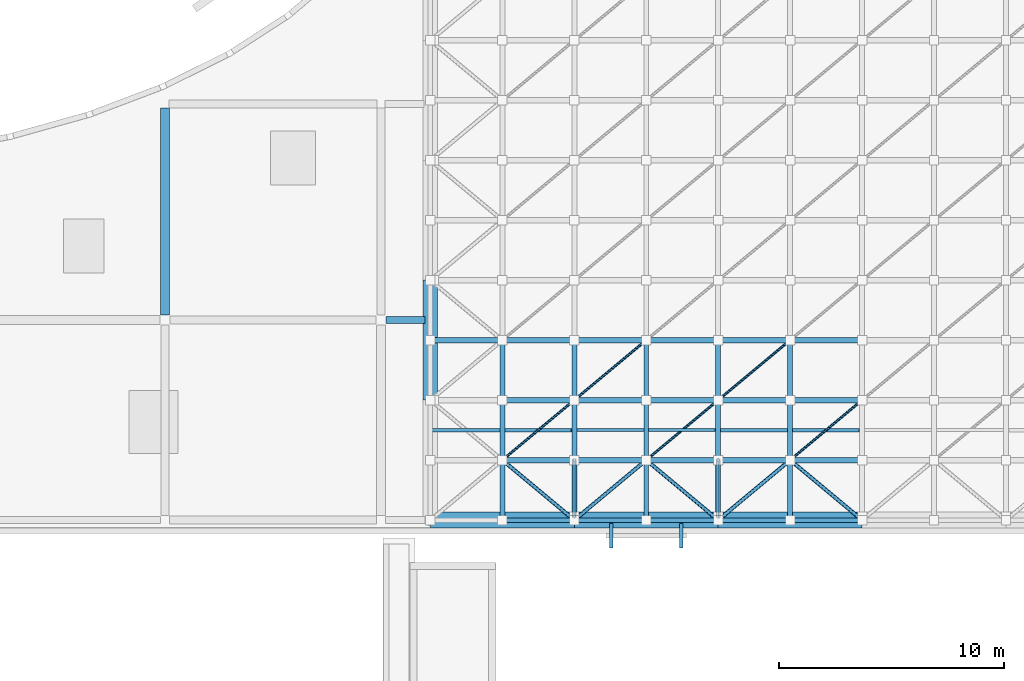
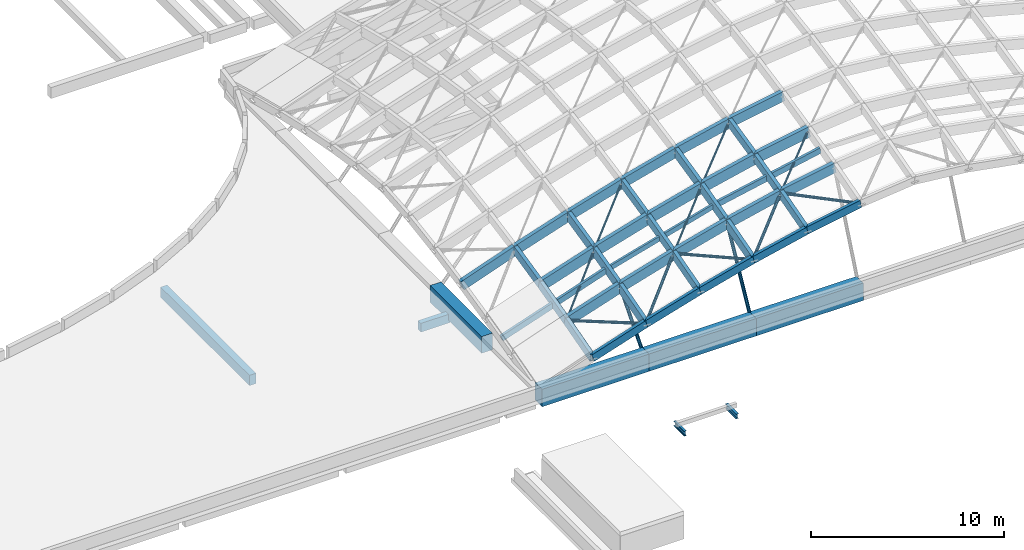
# One storey, part 6 of 40: 51 members, 8 beams.
"""IFC4 building model written with IfcOpenShell, lengths in metres."""

from ifc_helpers import new_model, si_unit, direction, frame, origin, origin_2d, place, context, subcontext, project, spatial, rectangle, hollow_circle, i_section, extrude, material, material_profile, profile_set, type_object, element, save


model = new_model("IFC4")

# Units and contexts
model_context = context("Model", 3, precision=1e-05, world=origin(), true_north=direction((0.0, 1.0)))
body_context = subcontext(model_context, "Body", "Model", "MODEL_VIEW")
ifc_project = project(units=[si_unit("LENGTHUNIT", "METRE"), si_unit("AREAUNIT", "SQUARE_METRE"), si_unit("VOLUMEUNIT", "CUBIC_METRE"), si_unit("PLANEANGLEUNIT", "RADIAN"), si_unit("MASSUNIT", "GRAM", prefix="KILO")], contexts=[model_context])

# Site, building, storey
site_placement = place(None, origin())
site = spatial("IfcSite", under=ifc_project, at=site_placement, CompositionType="ELEMENT")
building_placement = place(site_placement, origin())
building = spatial("IfcBuilding", under=site, at=building_placement, Name="Mzevani Central Library", CompositionType="ELEMENT")
storey_placement = place(building_placement, frame((0.0, 0.0, 26.699951171875)))
storey = spatial("IfcBuildingStorey", under=building, at=storey_placement, Name="RF", CompositionType="ELEMENT", Elevation=26.699951171875)

# Member
ifc_material_1 = material(Name="Glulam GL28h", Category="wood")
ifc_material_profile_1 = material_profile(ifc_material_1, rectangle(XDim=0.139892578125, YDim=0.300048828125, at=origin_2d()), Name="GL28h 140x300")
ifc_profile_set_1 = profile_set([ifc_material_profile_1], Name="Glulam GL28h")
member_type_1 = type_object("IfcMemberType", Name="Acoustic Baffle Batten GL28h 140x300", PredefinedType="PURLIN", material=ifc_profile_set_1)
member_1_placement = place(storey_placement, frame((120.68994140625, 47.10009765625, -9.758544921875), z_axis=(0.962684478894, 0.0, 0.270626299715), x_axis=(0.0, 1.0, 0.0)))
element("IfcMember", 1, at=member_1_placement, inside=storey, type_object=member_type_1, Name="RF Gridshell Edge Baffle Purlin 2", PredefinedType="PURLIN", context=body_context, shape_type="SweptSolid", body=[
    extrude(rectangle(XDim=0.139892578125, YDim=0.300048828125, at=origin_2d()), origin(), (0.0, 0.0, 1.0), 6.461181640625),
])

# Beams
ifc_material_2 = material(Name="Concrete C35/45", Category="concrete")
ifc_material_profile_2 = material_profile(ifc_material_2, rectangle(XDim=0.300048828125, YDim=0.550048828125, at=origin_2d()), Name="RC B300x550")
ifc_profile_set_2 = profile_set([ifc_material_profile_2], Name="Concrete C35/45")
beam_type_1 = type_object("IfcBeamType", Name="Beam RC 300x550", PredefinedType="BEAM", material=ifc_profile_set_2)
beam_1_placement = place(storey_placement, frame((112.22509765625, 52.0, -13.43505859375), z_axis=(1.0, 0.0, 0.0), x_axis=(0.0, 1.0, 0.0)))
element("IfcBeam", 2, at=beam_1_placement, inside=storey, type_object=beam_type_1, Name="RF V1 Girder B-02 (153)", PredefinedType="BEAM", context=body_context, shape_type="SweptSolid", body=[
    extrude(rectangle(XDim=0.300048828125, YDim=0.550048828125, at=origin_2d()), origin(), (0.0, 0.0, 1.0), 1.724853515625),
])
ifc_material_profile_3 = material_profile(ifc_material_2, rectangle(XDim=0.39990234375, YDim=0.64990234375, at=origin_2d()), Name="RC B400x650")
ifc_profile_set_3 = profile_set([ifc_material_profile_3], Name="Concrete C35/45")
beam_type_2 = type_object("IfcBeamType", Name="Beam RC 400x650", PredefinedType="BEAM", material=ifc_profile_set_3)
beam_2_placement = place(storey_placement, frame((102.39990234375, 52.22509765625, -13.48486328125), z_axis=(0.0, 1.0, 0.0), x_axis=(-1.0, 0.0, 0.0)))
element("IfcBeam", 3, at=beam_2_placement, inside=storey, type_object=beam_type_2, Name="RF V1 Frame Beam B-07 (170)", PredefinedType="BEAM", context=body_context, shape_type="SweptSolid", body=[
    extrude(rectangle(XDim=0.39990234375, YDim=0.64990234375, at=origin_2d()), origin(), (0.0, 0.0, 1.0), 9.199951171875),
])

# Members
ifc_material_3 = material(Name="Steel S355J2", Category="steel")
ifc_material_profile_4 = material_profile(ifc_material_3, hollow_circle(Radius=0.096923828125, WallThickness=0.010009765625, at=origin_2d()), Name="CHS 193.7x10.0")
ifc_profile_set_4 = profile_set([ifc_material_profile_4], Name="Steel S355J2")
member_type_2 = type_object("IfcMemberType", Name="Gridshell Corner Raker CHS 193.7", PredefinedType="BRACE", material=ifc_profile_set_4)
member_2_placement = place(storey_placement, frame((120.60009765625, 43.25, -12.949951171875), z_axis=(0.0, 0.657289394551, 0.753638276503), x_axis=(-1.0, 0.0, 0.0)))
element("IfcMember", 4, at=member_2_placement, inside=storey, type_object=member_type_2, Name="RF Gridshell South Springing Raker 1", PredefinedType="BRACE", context=body_context, shape_type="SweptSolid", body=[
    extrude(hollow_circle(Radius=0.096923828125, WallThickness=0.010009765625, at=origin_2d()), origin(), (0.0, 0.0, 1.0), 3.828857421875),
])
member_3_placement = place(storey_placement, frame((127.0, 43.25, -12.949951171875), z_axis=(0.0, 0.473264552531, 0.880920350156), x_axis=(-1.0, 0.0, 0.0)))
element("IfcMember", 5, at=member_3_placement, inside=storey, type_object=member_type_2, Name="RF Gridshell South Springing Raker 2", PredefinedType="BRACE", context=body_context, shape_type="SweptSolid", body=[
    extrude(hollow_circle(Radius=0.096923828125, WallThickness=0.010009765625, at=origin_2d()), origin(), (0.0, 0.0, 1.0), 5.317626953125),
])
ifc_material_profile_5 = material_profile(ifc_material_3, hollow_circle(Radius=0.05712890625, WallThickness=0.00634765625, at=origin_2d()), Name="CHS 114.3x6.3")
ifc_profile_set_5 = profile_set([ifc_material_profile_5], Name="Steel S355J2")
member_type_3 = type_object("IfcMemberType", Name="Gridshell Diagonal Brace CHS 114.3", PredefinedType="BRACE", material=ifc_profile_set_5)
member_4_placement = place(storey_placement, frame((117.39990234375, 45.7666015625, -11.0849609375), z_axis=(0.710113514397, 0.591743203979, 0.381547870148), x_axis=(-0.640172870191, 0.768230887345, 0.0)))
element("IfcMember", 6, at=member_4_placement, inside=storey, type_object=member_type_3, Name="RF Gridshell Steel Diagonal 2.2", PredefinedType="BRACE", context=body_context, shape_type="SweptSolid", body=[
    extrude(hollow_circle(Radius=0.05712890625, WallThickness=0.00634765625, at=origin_2d()), origin(), (0.0, 0.0, 1.0), 4.506591796875),
])
member_5_placement = place(storey_placement, frame((120.60009765625, 48.433349609375, -9.365478515625), z_axis=(0.719601572645, 0.599695428245, 0.350055666986), x_axis=(-0.640201694382, 0.768206867003, 0.0)))
element("IfcMember", 7, at=member_5_placement, inside=storey, type_object=member_type_3, Name="RF Gridshell Steel Diagonal 3.3", PredefinedType="BRACE", context=body_context, shape_type="SweptSolid", body=[
    extrude(hollow_circle(Radius=0.05712890625, WallThickness=0.00634765625, at=origin_2d()), origin(), (0.0, 0.0, 1.0), 4.44677734375),
])
member_6_placement = place(storey_placement, frame((123.800048828125, 45.7666015625, -9.09423828125), z_axis=(0.721237530893, 0.601058789193, 0.344303290669), x_axis=(-0.640201694382, 0.768206867003, 0.0)))
element("IfcMember", 8, at=member_6_placement, inside=storey, type_object=member_type_3, Name="RF Gridshell Steel Diagonal 4.2", PredefinedType="BRACE", context=body_context, shape_type="SweptSolid", body=[
    extrude(hollow_circle(Radius=0.05712890625, WallThickness=0.00634765625, at=origin_2d()), origin(), (0.0, 0.0, 1.0), 4.436767578125),
])
member_7_placement = place(storey_placement, frame((127.0, 48.433349609375, -7.566650390625), z_axis=(0.73155638542, 0.609658228271, 0.30519190627), x_axis=(-0.640201694382, 0.768206867003, 0.0)))
element("IfcMember", 9, at=member_7_placement, inside=storey, type_object=member_type_3, Name="RF Gridshell Steel Diagonal 5.3", PredefinedType="BRACE", context=body_context, shape_type="SweptSolid", body=[
    extrude(hollow_circle(Radius=0.05712890625, WallThickness=0.00634765625, at=origin_2d()), origin(), (0.0, 0.0, 1.0), 4.374267578125),
])
member_8_placement = place(storey_placement, frame((130.199951171875, 45.7666015625, -7.51708984375), z_axis=(0.735482172478, 0.612929867245, 0.288761063521), x_axis=(-0.640201694382, 0.768206867003, 0.0)))
element("IfcMember", 10, at=member_8_placement, inside=storey, type_object=member_type_3, Name="RF Gridshell Steel Diagonal 6.2", PredefinedType="BRACE", context=body_context, shape_type="SweptSolid", body=[
    extrude(hollow_circle(Radius=0.05712890625, WallThickness=0.00634765625, at=origin_2d()), origin(), (0.0, 0.0, 1.0), 4.350830078125),
])
ifc_material_profile_6 = material_profile(ifc_material_1, rectangle(XDim=0.199951171875, YDim=0.47998046875, at=origin_2d()), Name="GL28h 200x480")
ifc_profile_set_6 = profile_set([ifc_material_profile_6], Name="Glulam GL28h")
member_type_4 = type_object("IfcMemberType", Name="Gridshell Edge Rib GL28h 200x480", PredefinedType="RAFTER", material=ifc_profile_set_6)
member_9_placement = place(storey_placement, frame((117.39990234375, 43.10009765625, -11.79833984375), z_axis=(0.950993540483, 0.0, 0.309210746837), x_axis=(0.0, 1.0, 0.0)))
element("IfcMember", 11, at=member_9_placement, inside=storey, type_object=member_type_4, Name="RF Gridshell Glulam Arch Rib X1.2", PredefinedType="RAFTER", context=body_context, shape_type="SweptSolid", body=[
    extrude(rectangle(XDim=0.199951171875, YDim=0.47998046875, at=origin_2d()), origin(), (0.0, 0.0, 1.0), 3.364990234375),
])
member_10_placement = place(storey_placement, frame((120.60009765625, 43.10009765625, -10.7578125), z_axis=(0.958629716231, 0.0, 0.284656050627), x_axis=(0.0, 1.0, 0.0)))
element("IfcMember", 12, at=member_10_placement, inside=storey, type_object=member_type_4, Name="RF Gridshell Glulam Arch Rib X1.3", PredefinedType="RAFTER", context=body_context, shape_type="SweptSolid", body=[
    extrude(rectangle(XDim=0.199951171875, YDim=0.47998046875, at=origin_2d()), origin(), (0.0, 0.0, 1.0), 3.338134765625),
])
member_11_placement = place(storey_placement, frame((123.800048828125, 43.10009765625, -9.8076171875), z_axis=(0.966604816788, 0.0, 0.256271590626), x_axis=(0.0, 1.0, 0.0)))
element("IfcMember", 13, at=member_11_placement, inside=storey, type_object=member_type_4, Name="RF Gridshell Glulam Arch Rib X1.4", PredefinedType="RAFTER", context=body_context, shape_type="SweptSolid", body=[
    extrude(rectangle(XDim=0.199951171875, YDim=0.47998046875, at=origin_2d()), origin(), (0.0, 0.0, 1.0), 3.310546875),
])
member_12_placement = place(storey_placement, frame((127.0, 43.10009765625, -8.959228515625), z_axis=(0.975034107954, 0.0, 0.222055147039), x_axis=(0.0, 1.0, 0.0)))
element("IfcMember", 14, at=member_12_placement, inside=storey, type_object=member_type_4, Name="RF Gridshell Glulam Arch Rib X1.5", PredefinedType="RAFTER", context=body_context, shape_type="SweptSolid", body=[
    extrude(rectangle(XDim=0.199951171875, YDim=0.47998046875, at=origin_2d()), origin(), (0.0, 0.0, 1.0), 3.281982421875),
])
member_13_placement = place(storey_placement, frame((130.199951171875, 43.10009765625, -8.23046875), z_axis=(0.984121212692, 0.0, 0.177497714718), x_axis=(0.0, 1.0, 0.0)))
element("IfcMember", 15, at=member_13_placement, inside=storey, type_object=member_type_4, Name="RF Gridshell Glulam Arch Rib X1.6", PredefinedType="RAFTER", context=body_context, shape_type="SweptSolid", body=[
    extrude(rectangle(XDim=0.199951171875, YDim=0.47998046875, at=origin_2d()), origin(), (0.0, 0.0, 1.0), 3.25146484375),
])
ifc_material_profile_7 = material_profile(ifc_material_1, rectangle(XDim=0.239990234375, YDim=0.6201171875, at=origin_2d()), Name="GL28h 240x620")
ifc_profile_set_7 = profile_set([ifc_material_profile_7], Name="Glulam GL28h")
member_type_5 = type_object("IfcMemberType", Name="Gridshell Primary Rib GL28h 240x620", PredefinedType="RAFTER", material=ifc_profile_set_7)
member_14_placement = place(storey_placement, frame((117.39990234375, 45.7666015625, -11.125), z_axis=(0.950993540483, 0.0, 0.309210746837), x_axis=(0.0, 1.0, 0.0)))
element("IfcMember", 16, at=member_14_placement, inside=storey, type_object=member_type_5, Name="RF Gridshell Glulam Arch Rib X2.2", PredefinedType="RAFTER", context=body_context, shape_type="SweptSolid", body=[
    extrude(rectangle(XDim=0.239990234375, YDim=0.6201171875, at=origin_2d()), origin(), (0.0, 0.0, 1.0), 3.364990234375),
])
member_15_placement = place(storey_placement, frame((120.60009765625, 45.7666015625, -10.08447265625), z_axis=(0.958629716231, 0.0, 0.284656050627), x_axis=(0.0, 1.0, 0.0)))
element("IfcMember", 17, at=member_15_placement, inside=storey, type_object=member_type_5, Name="RF Gridshell Glulam Arch Rib X2.3", PredefinedType="RAFTER", context=body_context, shape_type="SweptSolid", body=[
    extrude(rectangle(XDim=0.239990234375, YDim=0.6201171875, at=origin_2d()), origin(), (0.0, 0.0, 1.0), 3.338134765625),
])
member_16_placement = place(storey_placement, frame((123.800048828125, 45.7666015625, -9.13427734375), z_axis=(0.966586546506, 0.0, 0.256340492535), x_axis=(0.0, 1.0, 0.0)))
element("IfcMember", 18, at=member_16_placement, inside=storey, type_object=member_type_5, Name="RF Gridshell Glulam Arch Rib X2.4", PredefinedType="RAFTER", context=body_context, shape_type="SweptSolid", body=[
    extrude(rectangle(XDim=0.239990234375, YDim=0.6201171875, at=origin_2d()), origin(), (0.0, 0.0, 1.0), 3.310546875),
])
member_17_placement = place(storey_placement, frame((127.0, 45.7666015625, -8.28564453125), z_axis=(0.975050212006, 0.0, 0.221984423028), x_axis=(0.0, 1.0, 0.0)))
element("IfcMember", 19, at=member_17_placement, inside=storey, type_object=member_type_5, Name="RF Gridshell Glulam Arch Rib X2.5", PredefinedType="RAFTER", context=body_context, shape_type="SweptSolid", body=[
    extrude(rectangle(XDim=0.239990234375, YDim=0.6201171875, at=origin_2d()), origin(), (0.0, 0.0, 1.0), 3.28173828125),
])
member_18_placement = place(storey_placement, frame((130.199951171875, 45.7666015625, -7.55712890625), z_axis=(0.984108094626, 0.0, 0.177570431357), x_axis=(0.0, 1.0, 0.0)))
element("IfcMember", 20, at=member_18_placement, inside=storey, type_object=member_type_5, Name="RF Gridshell Glulam Arch Rib X2.6", PredefinedType="RAFTER", context=body_context, shape_type="SweptSolid", body=[
    extrude(rectangle(XDim=0.239990234375, YDim=0.6201171875, at=origin_2d()), origin(), (0.0, 0.0, 1.0), 3.251708984375),
])
member_19_placement = place(storey_placement, frame((114.199951171875, 51.10009765625, -10.961181640625), z_axis=(0.943711214964, 0.0, 0.330770528843), x_axis=(0.0, 1.0, 0.0)))
element("IfcMember", 21, at=member_19_placement, inside=storey, type_object=member_type_5, Name="RF Gridshell Glulam Arch Rib X4.1", PredefinedType="RAFTER", context=body_context, shape_type="SweptSolid", body=[
    extrude(rectangle(XDim=0.239990234375, YDim=0.6201171875, at=origin_2d()), origin(), (0.0, 0.0, 1.0), 3.390869140625),
])
member_20_placement = place(storey_placement, frame((117.39990234375, 51.10009765625, -9.839599609375), z_axis=(0.950993540483, 0.0, 0.309210746837), x_axis=(0.0, 1.0, 0.0)))
element("IfcMember", 22, at=member_20_placement, inside=storey, type_object=member_type_5, Name="RF Gridshell Glulam Arch Rib X4.2", PredefinedType="RAFTER", context=body_context, shape_type="SweptSolid", body=[
    extrude(rectangle(XDim=0.239990234375, YDim=0.6201171875, at=origin_2d()), origin(), (0.0, 0.0, 1.0), 3.364990234375),
])
member_21_placement = place(storey_placement, frame((120.60009765625, 51.10009765625, -8.799072265625), z_axis=(0.958629716231, 0.0, 0.284656050627), x_axis=(0.0, 1.0, 0.0)))
element("IfcMember", 23, at=member_21_placement, inside=storey, type_object=member_type_5, Name="RF Gridshell Glulam Arch Rib X4.3", PredefinedType="RAFTER", context=body_context, shape_type="SweptSolid", body=[
    extrude(rectangle(XDim=0.239990234375, YDim=0.6201171875, at=origin_2d()), origin(), (0.0, 0.0, 1.0), 3.338134765625),
])
member_22_placement = place(storey_placement, frame((123.800048828125, 51.10009765625, -7.848876953125), z_axis=(0.966604816788, 0.0, 0.256271590626), x_axis=(0.0, 1.0, 0.0)))
element("IfcMember", 24, at=member_22_placement, inside=storey, type_object=member_type_5, Name="RF Gridshell Glulam Arch Rib X4.4", PredefinedType="RAFTER", context=body_context, shape_type="SweptSolid", body=[
    extrude(rectangle(XDim=0.239990234375, YDim=0.6201171875, at=origin_2d()), origin(), (0.0, 0.0, 1.0), 3.310546875),
])
member_23_placement = place(storey_placement, frame((127.0, 51.10009765625, -7.00048828125), z_axis=(0.975034107954, 0.0, 0.222055147039), x_axis=(0.0, 1.0, 0.0)))
element("IfcMember", 25, at=member_23_placement, inside=storey, type_object=member_type_5, Name="RF Gridshell Glulam Arch Rib X4.5", PredefinedType="RAFTER", context=body_context, shape_type="SweptSolid", body=[
    extrude(rectangle(XDim=0.239990234375, YDim=0.6201171875, at=origin_2d()), origin(), (0.0, 0.0, 1.0), 3.281982421875),
])
member_24_placement = place(storey_placement, frame((130.199951171875, 51.10009765625, -6.271728515625), z_axis=(0.984121212692, 0.0, 0.177497714718), x_axis=(0.0, 1.0, 0.0)))
element("IfcMember", 26, at=member_24_placement, inside=storey, type_object=member_type_5, Name="RF Gridshell Glulam Arch Rib X4.6", PredefinedType="RAFTER", context=body_context, shape_type="SweptSolid", body=[
    extrude(rectangle(XDim=0.239990234375, YDim=0.6201171875, at=origin_2d()), origin(), (0.0, 0.0, 1.0), 3.25146484375),
])
ifc_material_profile_8 = material_profile(ifc_material_1, rectangle(XDim=0.239990234375, YDim=0.679931640625, at=origin_2d()), Name="GL28h 240x680")
ifc_profile_set_8 = profile_set([ifc_material_profile_8], Name="Glulam GL28h")
member_type_6 = type_object("IfcMemberType", Name="Gridshell Primary Rib GL28h 240x680", PredefinedType="RAFTER", material=ifc_profile_set_8)
member_25_placement = place(storey_placement, frame((117.39990234375, 48.433349609375, -10.475830078125), z_axis=(0.951014872747, 0.0, 0.309145130666), x_axis=(0.0, 1.0, 0.0)))
element("IfcMember", 27, at=member_25_placement, inside=storey, type_object=member_type_6, Name="RF Gridshell Glulam Arch Rib X3.2", PredefinedType="RAFTER", context=body_context, shape_type="SweptSolid", body=[
    extrude(rectangle(XDim=0.239990234375, YDim=0.679931640625, at=origin_2d()), origin(), (0.0, 0.0, 1.0), 3.364990234375),
])
member_26_placement = place(storey_placement, frame((120.60009765625, 48.433349609375, -9.435546875), z_axis=(0.958609756204, 0.0, 0.284723260922), x_axis=(0.0, 1.0, 0.0)))
element("IfcMember", 28, at=member_26_placement, inside=storey, type_object=member_type_6, Name="RF Gridshell Glulam Arch Rib X3.3", PredefinedType="RAFTER", context=body_context, shape_type="SweptSolid", body=[
    extrude(rectangle(XDim=0.239990234375, YDim=0.679931640625, at=origin_2d()), origin(), (0.0, 0.0, 1.0), 3.338134765625),
])
member_27_placement = place(storey_placement, frame((123.800048828125, 48.433349609375, -8.485107421875), z_axis=(0.966604816788, 0.0, 0.256271590626), x_axis=(0.0, 1.0, 0.0)))
element("IfcMember", 29, at=member_27_placement, inside=storey, type_object=member_type_6, Name="RF Gridshell Glulam Arch Rib X3.4", PredefinedType="RAFTER", context=body_context, shape_type="SweptSolid", body=[
    extrude(rectangle(XDim=0.239990234375, YDim=0.679931640625, at=origin_2d()), origin(), (0.0, 0.0, 1.0), 3.310546875),
])
member_28_placement = place(storey_placement, frame((127.0, 48.433349609375, -7.63671875), z_axis=(0.975034107954, 0.0, 0.222055147039), x_axis=(0.0, 1.0, 0.0)))
element("IfcMember", 30, at=member_28_placement, inside=storey, type_object=member_type_6, Name="RF Gridshell Glulam Arch Rib X3.5", PredefinedType="RAFTER", context=body_context, shape_type="SweptSolid", body=[
    extrude(rectangle(XDim=0.239990234375, YDim=0.679931640625, at=origin_2d()), origin(), (0.0, 0.0, 1.0), 3.281982421875),
])
member_29_placement = place(storey_placement, frame((130.199951171875, 48.433349609375, -6.907958984375), z_axis=(0.984121212692, 0.0, 0.177497714718), x_axis=(0.0, 1.0, 0.0)))
element("IfcMember", 31, at=member_29_placement, inside=storey, type_object=member_type_6, Name="RF Gridshell Glulam Arch Rib X3.6", PredefinedType="RAFTER", context=body_context, shape_type="SweptSolid", body=[
    extrude(rectangle(XDim=0.239990234375, YDim=0.679931640625, at=origin_2d()), origin(), (0.0, 0.0, 1.0), 3.25146484375),
])

# Beams
ifc_material_4 = material(Name="Concrete C40/50", Category="concrete")
ifc_material_profile_9 = material_profile(ifc_material_4, rectangle(XDim=0.64990234375, YDim=1.050048828125, at=origin_2d()), Name="RC RB650x1050")
ifc_profile_set_9 = profile_set([ifc_material_profile_9], Name="Concrete C40/50")
beam_type_3 = type_object("IfcBeamType", Name="Gridshell Ring Beam RC 650x1050", PredefinedType="BEAM", material=ifc_profile_set_9)
beam_3_placement = place(storey_placement, frame((114.199951171875, 48.433349609375, -13.02490234375), z_axis=(0.0, 1.0, 0.0), x_axis=(-1.0, 0.0, 0.0)))
element("IfcBeam", 32, at=beam_3_placement, inside=storey, type_object=beam_type_3, Name="RF Gridshell Ring Beam West Bay 2", PredefinedType="BEAM", context=body_context, shape_type="SweptSolid", body=[
    extrude(rectangle(XDim=0.64990234375, YDim=1.050048828125, at=origin_2d()), origin(), (0.0, 0.0, 1.0), 5.333251953125),
])
ifc_material_profile_10 = material_profile(ifc_material_4, rectangle(XDim=0.699951171875, YDim=1.10009765625, at=origin_2d()), Name="RC RB700x1100")
ifc_profile_set_10 = profile_set([ifc_material_profile_10], Name="Concrete C40/50")
beam_type_4 = type_object("IfcBeamType", Name="Gridshell Ring Beam RC 700x1100", PredefinedType="BEAM", material=ifc_profile_set_10)
beam_4_placement = place(storey_placement, frame((114.199951171875, 43.10009765625, -13.050048828125), z_axis=(1.0, 0.0, 0.0), x_axis=(0.0, 1.0, 0.0)))
element("IfcBeam", 33, at=beam_4_placement, inside=storey, type_object=beam_type_4, Name="RF Gridshell Ring Beam South Bay 1", PredefinedType="BEAM", context=body_context, shape_type="SweptSolid", body=[
    extrude(rectangle(XDim=0.699951171875, YDim=1.10009765625, at=origin_2d()), origin(), (0.0, 0.0, 1.0), 6.400146484375),
])
for number, where, z_axis, x_axis, name in (
    (34, (120.60009765625, 43.10009765625, -13.050048828125), (1.0, 0.0, 0.0), (0.0, 1.0, 0.0), "RF Gridshell Ring Beam South Bay 2"),
    (35, (127.0, 43.10009765625, -13.050048828125), (1.0, 0.0, 0.0), (0.0, 1.0, 0.0), "RF Gridshell Ring Beam South Bay 3"),
):
    element("IfcBeam", number, at=place(storey_placement, frame(where, z_axis=z_axis, x_axis=x_axis)), inside=storey, type_object=beam_type_4, Name=name, PredefinedType="BEAM", context=body_context, shape_type="SweptSolid", body=[
        extrude(rectangle(XDim=0.699951171875, YDim=1.10009765625, at=origin_2d()), origin(), (0.0, 0.0, 1.0), 6.39990234375),
    ])

# Members
ifc_material_profile_11 = material_profile(ifc_material_3, hollow_circle(Radius=0.084228515625, WallThickness=0.010009765625, at=origin_2d()), Name="CHS 168.3x10.0")
ifc_profile_set_11 = profile_set([ifc_material_profile_11], Name="Steel S355J2")
member_type_7 = type_object("IfcMemberType", Name="Gridshell Springing Brace CHS 168.3", PredefinedType="BRACE", material=ifc_profile_set_11)
member_30_placement = place(storey_placement, frame((117.39990234375, 45.7666015625, -11.0849609375), z_axis=(0.76631278635, -0.638516040015, 0.071147593911), x_axis=(0.640138279177, 0.768259710991, 0.0)))
element("IfcMember", 36, at=member_30_placement, inside=storey, type_object=member_type_7, Name="RF Gridshell Steel Diagonal 2.1", PredefinedType="BRACE", context=body_context, shape_type="SweptSolid", body=[
    extrude(hollow_circle(Radius=0.084228515625, WallThickness=0.010009765625, at=origin_2d()), origin(), (0.0, 0.0, 1.0), 4.176025390625),
])
member_31_placement = place(storey_placement, frame((120.60009765625, 43.10009765625, -10.787841796875), z_axis=(0.711658851522, 0.59302189489, 0.376651976273), x_axis=(-0.640167103973, 0.768235692344, 0.0)))
element("IfcMember", 37, at=member_31_placement, inside=storey, type_object=member_type_7, Name="RF Gridshell Steel Diagonal 3.1", PredefinedType="BRACE", context=body_context, shape_type="SweptSolid", body=[
    extrude(hollow_circle(Radius=0.084228515625, WallThickness=0.010009765625, at=origin_2d()), origin(), (0.0, 0.0, 1.0), 4.49658203125),
])
member_32_placement = place(storey_placement, frame((123.800048828125, 45.7666015625, -9.09423828125), z_axis=(0.76799067683, -0.639962933725, 0.025253985024), x_axis=(0.640167103973, 0.768235692344, 0.0)))
element("IfcMember", 38, at=member_32_placement, inside=storey, type_object=member_type_7, Name="RF Gridshell Steel Diagonal 4.1", PredefinedType="BRACE", context=body_context, shape_type="SweptSolid", body=[
    extrude(hollow_circle(Radius=0.084228515625, WallThickness=0.010009765625, at=origin_2d()), origin(), (0.0, 0.0, 1.0), 4.166748046875),
])
member_33_placement = place(storey_placement, frame((127.0, 43.10009765625, -8.989013671875), z_axis=(0.724340037038, 0.60358906573, 0.333184259045), x_axis=(-0.640167103973, 0.768235692344, 0.0)))
element("IfcMember", 39, at=member_33_placement, inside=storey, type_object=member_type_7, Name="RF Gridshell Steel Diagonal 5.1", PredefinedType="BRACE", context=body_context, shape_type="SweptSolid", body=[
    extrude(hollow_circle(Radius=0.084228515625, WallThickness=0.010009765625, at=origin_2d()), origin(), (0.0, 0.0, 1.0), 4.417724609375),
])
member_34_placement = place(storey_placement, frame((130.199951171875, 45.7666015625, -7.51708984375), z_axis=(0.767626228949, -0.639659241061, -0.039824966482), x_axis=(0.640167103973, 0.768235692344, 0.0)))
element("IfcMember", 40, at=member_34_placement, inside=storey, type_object=member_type_7, Name="RF Gridshell Steel Diagonal 6.1", PredefinedType="BRACE", context=body_context, shape_type="SweptSolid", body=[
    extrude(hollow_circle(Radius=0.084228515625, WallThickness=0.010009765625, at=origin_2d()), origin(), (0.0, 0.0, 1.0), 4.168701171875),
])
ifc_material_profile_12 = material_profile(ifc_material_1, rectangle(XDim=0.219970703125, YDim=0.52001953125, at=origin_2d()), Name="GL28h 220x520")
ifc_profile_set_12 = profile_set([ifc_material_profile_12], Name="Glulam GL28h")
member_type_8 = type_object("IfcMemberType", Name="Gridshell Transverse Rib GL28h 220x520", PredefinedType="RAFTER", material=ifc_profile_set_12)
member_35_placement = place(storey_placement, frame((117.39990234375, 43.10009765625, -11.818359375), z_axis=(0.0, 0.963264772672, 0.268553491374), x_axis=(-1.0, 0.0, 0.0)))
element("IfcMember", 41, at=member_35_placement, inside=storey, type_object=member_type_8, Name="RF Gridshell Glulam Transverse Rib Y2.1", PredefinedType="RAFTER", context=body_context, shape_type="SweptSolid", body=[
    extrude(rectangle(XDim=0.219970703125, YDim=0.52001953125, at=origin_2d()), origin(), (0.0, 0.0, 1.0), 2.768310546875),
])
member_36_placement = place(storey_placement, frame((117.39990234375, 45.7666015625, -11.074951171875), z_axis=(0.0, 0.969063231136, 0.246812588943), x_axis=(-1.0, 0.0, 0.0)))
element("IfcMember", 42, at=member_36_placement, inside=storey, type_object=member_type_8, Name="RF Gridshell Glulam Transverse Rib Y2.2", PredefinedType="RAFTER", context=body_context, shape_type="SweptSolid", body=[
    extrude(rectangle(XDim=0.219970703125, YDim=0.52001953125, at=origin_2d()), origin(), (0.0, 0.0, 1.0), 2.751953125),
])
member_37_placement = place(storey_placement, frame((117.39990234375, 48.433349609375, -10.395751953125), z_axis=(0.0, 0.97512320853, 0.221663547265), x_axis=(-1.0, 0.0, 0.0)))
element("IfcMember", 43, at=member_37_placement, inside=storey, type_object=member_type_8, Name="RF Gridshell Glulam Transverse Rib Y2.3", PredefinedType="RAFTER", context=body_context, shape_type="SweptSolid", body=[
    extrude(rectangle(XDim=0.219970703125, YDim=0.52001953125, at=origin_2d()), origin(), (0.0, 0.0, 1.0), 2.73486328125),
])
member_38_placement = place(storey_placement, frame((123.800048828125, 43.10009765625, -9.82763671875), z_axis=(0.0, 0.963264772672, 0.268553491374), x_axis=(-1.0, 0.0, 0.0)))
element("IfcMember", 44, at=member_38_placement, inside=storey, type_object=member_type_8, Name="RF Gridshell Glulam Transverse Rib Y4.1", PredefinedType="RAFTER", context=body_context, shape_type="SweptSolid", body=[
    extrude(rectangle(XDim=0.219970703125, YDim=0.52001953125, at=origin_2d()), origin(), (0.0, 0.0, 1.0), 2.768310546875),
])
member_39_placement = place(storey_placement, frame((123.800048828125, 45.7666015625, -9.084228515625), z_axis=(0.0, 0.969063231136, 0.246812588943), x_axis=(-1.0, 0.0, 0.0)))
element("IfcMember", 45, at=member_39_placement, inside=storey, type_object=member_type_8, Name="RF Gridshell Glulam Transverse Rib Y4.2", PredefinedType="RAFTER", context=body_context, shape_type="SweptSolid", body=[
    extrude(rectangle(XDim=0.219970703125, YDim=0.52001953125, at=origin_2d()), origin(), (0.0, 0.0, 1.0), 2.751953125),
])
member_40_placement = place(storey_placement, frame((123.800048828125, 48.433349609375, -8.405029296875), z_axis=(0.0, 0.97512320853, 0.221663547265), x_axis=(-1.0, 0.0, 0.0)))
element("IfcMember", 46, at=member_40_placement, inside=storey, type_object=member_type_8, Name="RF Gridshell Glulam Transverse Rib Y4.3", PredefinedType="RAFTER", context=body_context, shape_type="SweptSolid", body=[
    extrude(rectangle(XDim=0.219970703125, YDim=0.52001953125, at=origin_2d()), origin(), (0.0, 0.0, 1.0), 2.73486328125),
])
member_41_placement = place(storey_placement, frame((130.199951171875, 43.10009765625, -8.25048828125), z_axis=(0.0, 0.963264772672, 0.268553491374), x_axis=(-1.0, 0.0, 0.0)))
element("IfcMember", 47, at=member_41_placement, inside=storey, type_object=member_type_8, Name="RF Gridshell Glulam Transverse Rib Y6.1", PredefinedType="RAFTER", context=body_context, shape_type="SweptSolid", body=[
    extrude(rectangle(XDim=0.219970703125, YDim=0.52001953125, at=origin_2d()), origin(), (0.0, 0.0, 1.0), 2.768310546875),
])
member_42_placement = place(storey_placement, frame((130.199951171875, 45.7666015625, -7.507080078125), z_axis=(0.0, 0.969063231136, 0.246812588943), x_axis=(-1.0, 0.0, 0.0)))
element("IfcMember", 48, at=member_42_placement, inside=storey, type_object=member_type_8, Name="RF Gridshell Glulam Transverse Rib Y6.2", PredefinedType="RAFTER", context=body_context, shape_type="SweptSolid", body=[
    extrude(rectangle(XDim=0.219970703125, YDim=0.52001953125, at=origin_2d()), origin(), (0.0, 0.0, 1.0), 2.751953125),
])
member_43_placement = place(storey_placement, frame((130.199951171875, 48.433349609375, -6.827880859375), z_axis=(0.0, 0.97512320853, 0.221663547265), x_axis=(-1.0, 0.0, 0.0)))
element("IfcMember", 49, at=member_43_placement, inside=storey, type_object=member_type_8, Name="RF Gridshell Glulam Transverse Rib Y6.3", PredefinedType="RAFTER", context=body_context, shape_type="SweptSolid", body=[
    extrude(rectangle(XDim=0.219970703125, YDim=0.52001953125, at=origin_2d()), origin(), (0.0, 0.0, 1.0), 2.73486328125),
])
ifc_material_profile_13 = material_profile(ifc_material_1, rectangle(XDim=0.219970703125, YDim=0.580078125, at=origin_2d()), Name="GL28h 220x580")
ifc_profile_set_13 = profile_set([ifc_material_profile_13], Name="Glulam GL28h")
member_type_9 = type_object("IfcMemberType", Name="Gridshell Transverse Rib GL28h 220x580", PredefinedType="RAFTER", material=ifc_profile_set_13)
member_44_placement = place(storey_placement, frame((120.60009765625, 43.10009765625, -10.807861328125), z_axis=(0.0, 0.963264772672, 0.268553491374), x_axis=(-1.0, 0.0, 0.0)))
element("IfcMember", 50, at=member_44_placement, inside=storey, type_object=member_type_9, Name="RF Gridshell Glulam Transverse Rib Y3.1", PredefinedType="RAFTER", context=body_context, shape_type="SweptSolid", body=[
    extrude(rectangle(XDim=0.219970703125, YDim=0.580078125, at=origin_2d()), origin(), (0.0, 0.0, 1.0), 2.768310546875),
])
member_45_placement = place(storey_placement, frame((120.60009765625, 45.7666015625, -10.064453125), z_axis=(0.0, 0.969084447248, 0.246729272892), x_axis=(-1.0, 0.0, 0.0)))
element("IfcMember", 51, at=member_45_placement, inside=storey, type_object=member_type_9, Name="RF Gridshell Glulam Transverse Rib Y3.2", PredefinedType="RAFTER", context=body_context, shape_type="SweptSolid", body=[
    extrude(rectangle(XDim=0.219970703125, YDim=0.580078125, at=origin_2d()), origin(), (0.0, 0.0, 1.0), 2.751708984375),
])
member_46_placement = place(storey_placement, frame((120.60009765625, 48.433349609375, -9.385498046875), z_axis=(0.0, 0.97512320853, 0.221663547265), x_axis=(-1.0, 0.0, 0.0)))
element("IfcMember", 52, at=member_46_placement, inside=storey, type_object=member_type_9, Name="RF Gridshell Glulam Transverse Rib Y3.3", PredefinedType="RAFTER", context=body_context, shape_type="SweptSolid", body=[
    extrude(rectangle(XDim=0.219970703125, YDim=0.580078125, at=origin_2d()), origin(), (0.0, 0.0, 1.0), 2.73486328125),
])
member_47_placement = place(storey_placement, frame((127.0, 43.10009765625, -9.009033203125), z_axis=(0.0, 0.963264772672, 0.268553491374), x_axis=(-1.0, 0.0, 0.0)))
element("IfcMember", 53, at=member_47_placement, inside=storey, type_object=member_type_9, Name="RF Gridshell Glulam Transverse Rib Y5.1", PredefinedType="RAFTER", context=body_context, shape_type="SweptSolid", body=[
    extrude(rectangle(XDim=0.219970703125, YDim=0.580078125, at=origin_2d()), origin(), (0.0, 0.0, 1.0), 2.768310546875),
])
member_48_placement = place(storey_placement, frame((127.0, 45.7666015625, -8.265625), z_axis=(0.0, 0.969084447248, 0.246729272892), x_axis=(-1.0, 0.0, 0.0)))
element("IfcMember", 54, at=member_48_placement, inside=storey, type_object=member_type_9, Name="RF Gridshell Glulam Transverse Rib Y5.2", PredefinedType="RAFTER", context=body_context, shape_type="SweptSolid", body=[
    extrude(rectangle(XDim=0.219970703125, YDim=0.580078125, at=origin_2d()), origin(), (0.0, 0.0, 1.0), 2.751708984375),
])
member_49_placement = place(storey_placement, frame((127.0, 48.433349609375, -7.586669921875), z_axis=(0.0, 0.97512320853, 0.221663547265), x_axis=(-1.0, 0.0, 0.0)))
element("IfcMember", 55, at=member_49_placement, inside=storey, type_object=member_type_9, Name="RF Gridshell Glulam Transverse Rib Y5.3", PredefinedType="RAFTER", context=body_context, shape_type="SweptSolid", body=[
    extrude(rectangle(XDim=0.219970703125, YDim=0.580078125, at=origin_2d()), origin(), (0.0, 0.0, 1.0), 2.73486328125),
])
ifc_material_profile_14 = material_profile(ifc_material_1, rectangle(XDim=0.159912109375, YDim=0.360107421875, at=origin_2d()), Name="GL28h 160x360")
ifc_profile_set_14 = profile_set([ifc_material_profile_14], Name="Glulam GL28h")
member_type_10 = type_object("IfcMemberType", Name="Reading Gallery Sub-Rib GL28h 160x360", PredefinedType="PURLIN", material=ifc_profile_set_14)
member_50_placement = place(storey_placement, frame((114.2900390625, 47.10009765625, -11.916015625), z_axis=(0.947385049647, 0.0, 0.320096185083), x_axis=(0.0, 1.0, 0.0)))
element("IfcMember", 56, at=member_50_placement, inside=storey, type_object=member_type_10, Name="RF Gridshell Edge Baffle Purlin 1", PredefinedType="PURLIN", context=body_context, shape_type="SweptSolid", body=[
    extrude(rectangle(XDim=0.159912109375, YDim=0.360107421875, at=origin_2d()), origin(), (0.0, 0.0, 1.0), 6.5654296875),
])
member_51_placement = place(storey_placement, frame((127.090087890625, 47.10009765625, -7.96533203125), z_axis=(0.979791909135, 0.0, 0.200019536029), x_axis=(0.0, 1.0, 0.0)))
element("IfcMember", 57, at=member_51_placement, inside=storey, type_object=member_type_10, Name="RF Gridshell Edge Baffle Purlin 3", PredefinedType="PURLIN", context=body_context, shape_type="SweptSolid", body=[
    extrude(rectangle(XDim=0.159912109375, YDim=0.360107421875, at=origin_2d()), origin(), (0.0, 0.0, 1.0), 6.34814453125),
])

# Beams
ifc_material_profile_15 = material_profile(ifc_material_3, i_section(OverallWidth=0.14990234375, OverallDepth=0.300048828125, WebThickness=0.007080078125, FlangeThickness=0.0107421875, FilletRadius=0.014892578125, at=origin_2d()), Name="IPE 300")
ifc_profile_set_15 = profile_set([ifc_material_profile_15], Name="Steel S355J2")
beam_type_5 = type_object("IfcBeamType", Name="Roof Beam Steel IPE 300", PredefinedType="BEAM", material=ifc_profile_set_15)
for number, where, z_axis, x_axis, name in (
    (58, (122.25, 41.85009765625, -17.554931640625), (0.0, 1.0, 0.0), (-1.0, 0.0, 0.0), "Children-Reading Hall Seismic Passage L01 Roof Girder 1"),
    (59, (125.35009765625, 41.85009765625, -17.554931640625), (0.0, 1.0, 0.0), (-1.0, 0.0, 0.0), "Children-Reading Hall Seismic Passage L01 Roof Girder 2"),
):
    element("IfcBeam", number, at=place(storey_placement, frame(where, z_axis=z_axis, x_axis=x_axis)), inside=storey, type_object=beam_type_5, Name=name, PredefinedType="BEAM", context=body_context, shape_type="SweptSolid", body=[
        extrude(i_section(OverallWidth=0.14990234375, OverallDepth=0.300048828125, WebThickness=0.007080078125, FlangeThickness=0.0107421875, FilletRadius=0.014892578125, at=origin_2d()), origin(), (0.0, 0.0, 1.0), 1.099853515625),
    ])

save(model, "model.ifc")
